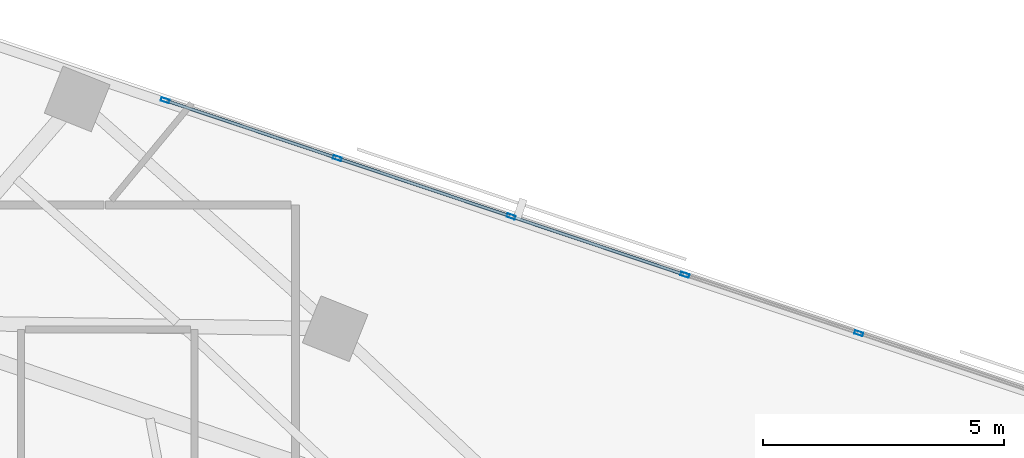
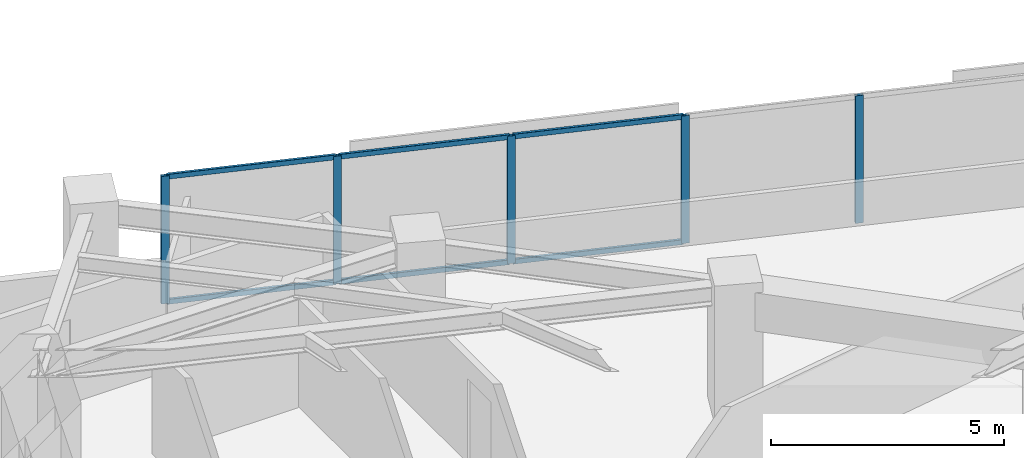
# One storey, part 4 of 14: 11 members, 1 element without a shape of its own.
"""IFC4 building model written with IfcOpenShell, lengths in metres."""

from ifc_helpers import new_model, si_unit, direction, frame, origin, origin_2d, place, context, subcontext, project, spatial, hollow_rectangle, extrude, material, material_profile, profile_set, type_object, element, aggregate, save


model = new_model("IFC4")

# Units and contexts
model_context = context("Model", 3, precision=1e-05, world=origin(), true_north=direction((0.0, 1.0)))
body_context = subcontext(model_context, "Body", "Model", "MODEL_VIEW")
ifc_project = project(units=[si_unit("LENGTHUNIT", "METRE"), si_unit("AREAUNIT", "SQUARE_METRE"), si_unit("VOLUMEUNIT", "CUBIC_METRE"), si_unit("PLANEANGLEUNIT", "RADIAN"), si_unit("MASSUNIT", "GRAM", prefix="KILO")], contexts=[model_context])

# Site, building, storey
site_placement = place(None, origin())
site = spatial("IfcSite", under=ifc_project, at=site_placement, CompositionType="ELEMENT")
building_placement = place(site_placement, origin())
building = spatial("IfcBuilding", under=site, at=building_placement, Name="Narakoshi Arena Tower", CompositionType="ELEMENT")
storey_placement = place(building_placement, frame((0.0, 0.0, 168.300048828125)))
storey = spatial("IfcBuildingStorey", under=building, at=storey_placement, Name="L45", CompositionType="ELEMENT", Elevation=168.300048828125)

# Curtain wall, members
ifc_material = material(Name="Anodised bronze aluminium 6063-T6", Category="aluminium")
curtain_wall_type = type_object("IfcCurtainWallType", Name="CW-HYP-MID", PredefinedType="NOTDEFINED", material=ifc_material)
curtain_wall_placement = place(storey_placement, origin())
curtain_wall = element("IfcCurtainWall", 1, at=curtain_wall_placement, inside=storey, type_object=curtain_wall_type, Name="L45 Folded Hypotenuse Curtain Wall 1-1", PredefinedType="NOTDEFINED")
ifc_material_profile_1 = material_profile(ifc_material, hollow_rectangle(XDim=0.074951171875, YDim=0.179931640625, WallThickness=0.00390625, OuterFilletRadius=0.0048828125, at=origin_2d()), Name="MUL180x75x4")
ifc_profile_set_1 = profile_set([ifc_material_profile_1], Name="Anodised bronze aluminium 6063-T6")
member_type_1 = type_object("IfcMemberType", Name="MEM-MUL-180", PredefinedType="MULLION", material=ifc_profile_set_1)
member_1_placement = place(storey_placement, frame((105.783447265625, 56.272705078125, 0.0), z_axis=(0.0, 0.0, 1.0), x_axis=(-0.318260960253, -0.948003144077, 0.0)))
member_1 = element("IfcMember", 2, at=member_1_placement, type_object=member_type_1, Name="CW-02 mullion 4", PredefinedType="MULLION", context=body_context, shape_type="SweptSolid", body=[
    extrude(hollow_rectangle(XDim=0.074951171875, YDim=0.179931640625, WallThickness=0.00390625, OuterFilletRadius=0.0048828125, at=origin_2d()), origin(), (0.0, 0.0, 1.0), 3.33984375),
])
member_2_placement = place(storey_placement, frame((102.176025390625, 57.48388671875, 0.0), z_axis=(0.0, 0.0, 1.0), x_axis=(-0.318260960253, -0.948003144077, 0.0)))
member_2 = element("IfcMember", 3, at=member_2_placement, type_object=member_type_1, Name="CW-02 mullion 5", PredefinedType="MULLION", context=body_context, shape_type="SweptSolid", body=[
    extrude(hollow_rectangle(XDim=0.074951171875, YDim=0.179931640625, WallThickness=0.00390625, OuterFilletRadius=0.0048828125, at=origin_2d()), origin(), (0.0, 0.0, 1.0), 3.33984375),
])
member_3_placement = place(storey_placement, frame((98.568359375, 58.695068359375, 0.0), z_axis=(0.0, 0.0, 1.0), x_axis=(-0.318260960253, -0.948003144077, 0.0)))
member_3 = element("IfcMember", 4, at=member_3_placement, type_object=member_type_1, Name="CW-02 mullion 6", PredefinedType="MULLION", context=body_context, shape_type="SweptSolid", body=[
    extrude(hollow_rectangle(XDim=0.074951171875, YDim=0.179931640625, WallThickness=0.00390625, OuterFilletRadius=0.0048828125, at=origin_2d()), origin(), (0.0, 0.0, 1.0), 3.33984375),
])
member_4_placement = place(storey_placement, frame((94.960693359375, 59.90625, 0.0), z_axis=(0.0, 0.0, 1.0), x_axis=(-0.318260960253, -0.948003144077, 0.0)))
member_4 = element("IfcMember", 5, at=member_4_placement, type_object=member_type_1, Name="CW-02 mullion 7", PredefinedType="MULLION", context=body_context, shape_type="SweptSolid", body=[
    extrude(hollow_rectangle(XDim=0.074951171875, YDim=0.179931640625, WallThickness=0.00390625, OuterFilletRadius=0.0048828125, at=origin_2d()), origin(), (0.0, 0.0, 1.0), 3.33984375),
])
member_5_placement = place(storey_placement, frame((91.388671875, 61.10546875, 0.0), z_axis=(0.0, 0.0, 1.0), x_axis=(-0.318260960253, -0.948003144077, 0.0)))
member_5 = element("IfcMember", 6, at=member_5_placement, type_object=member_type_1, Name="CW-02 mullion 8", PredefinedType="MULLION", context=body_context, shape_type="SweptSolid", body=[
    extrude(hollow_rectangle(XDim=0.074951171875, YDim=0.179931640625, WallThickness=0.00390625, OuterFilletRadius=0.0048828125, at=origin_2d()), origin(), (0.0, 0.0, 1.0), 3.33984375),
])
ifc_material_profile_2 = material_profile(ifc_material, hollow_rectangle(XDim=0.06494140625, YDim=0.1298828125, WallThickness=0.00390625, OuterFilletRadius=0.0048828125, at=origin_2d()), Name="TRN130x65x4")
ifc_profile_set_2 = profile_set([ifc_material_profile_2], Name="Anodised bronze aluminium 6063-T6")
member_type_2 = type_object("IfcMemberType", Name="MEM-TRN-130", PredefinedType="USERDEFINED", material=ifc_profile_set_2)
member_6_placement = place(storey_placement, frame((102.140380859375, 57.495849609375, 0.032470703125), z_axis=(-0.948000451231, 0.318268981314, 0.0), x_axis=(-0.318268981314, -0.948000451231, 0.0)))
member_6 = element("IfcMember", 7, at=member_6_placement, type_object=member_type_2, Name="CW-02 transom 5.1", ObjectType="TRANSOM", PredefinedType="USERDEFINED", context=body_context, shape_type="SweptSolid", body=[
    extrude(hollow_rectangle(XDim=0.06494140625, YDim=0.1298828125, WallThickness=0.00390625, OuterFilletRadius=0.0048828125, at=origin_2d()), origin(), (0.0, 0.0, 1.0), 3.73046875),
])
member_7_placement = place(storey_placement, frame((102.140380859375, 57.495849609375, 3.307373046875), z_axis=(-0.948000451231, 0.318268981314, 0.0), x_axis=(-0.318268981314, -0.948000451231, 0.0)))
member_7 = element("IfcMember", 8, at=member_7_placement, type_object=member_type_2, Name="CW-02 transom 5.2", ObjectType="TRANSOM", PredefinedType="USERDEFINED", context=body_context, shape_type="SweptSolid", body=[
    extrude(hollow_rectangle(XDim=0.06494140625, YDim=0.1298828125, WallThickness=0.00390625, OuterFilletRadius=0.0048828125, at=origin_2d()), origin(), (0.0, 0.0, 1.0), 3.73046875),
])
member_8_placement = place(storey_placement, frame((98.53271484375, 58.70703125, 0.032470703125), z_axis=(-0.948000451231, 0.318268981314, 0.0), x_axis=(-0.318268981314, -0.948000451231, 0.0)))
member_8 = element("IfcMember", 9, at=member_8_placement, type_object=member_type_2, Name="CW-02 transom 6.1", ObjectType="TRANSOM", PredefinedType="USERDEFINED", context=body_context, shape_type="SweptSolid", body=[
    extrude(hollow_rectangle(XDim=0.06494140625, YDim=0.1298828125, WallThickness=0.00390625, OuterFilletRadius=0.0048828125, at=origin_2d()), origin(), (0.0, 0.0, 1.0), 3.73046875),
])
member_9_placement = place(storey_placement, frame((98.53271484375, 58.70703125, 3.307373046875), z_axis=(-0.948000451231, 0.318268981314, 0.0), x_axis=(-0.318268981314, -0.948000451231, 0.0)))
member_9 = element("IfcMember", 10, at=member_9_placement, type_object=member_type_2, Name="CW-02 transom 6.2", ObjectType="TRANSOM", PredefinedType="USERDEFINED", context=body_context, shape_type="SweptSolid", body=[
    extrude(hollow_rectangle(XDim=0.06494140625, YDim=0.1298828125, WallThickness=0.00390625, OuterFilletRadius=0.0048828125, at=origin_2d()), origin(), (0.0, 0.0, 1.0), 3.73046875),
])
member_10_placement = place(storey_placement, frame((94.92529296875, 59.918212890625, 0.032470703125), z_axis=(-0.948006826737, 0.31824999051, 0.0), x_axis=(-0.31824999051, -0.948006826737, 0.0)))
member_10 = element("IfcMember", 11, at=member_10_placement, type_object=member_type_2, Name="CW-02 transom 7.1", ObjectType="TRANSOM", PredefinedType="USERDEFINED", context=body_context, shape_type="SweptSolid", body=[
    extrude(hollow_rectangle(XDim=0.06494140625, YDim=0.1298828125, WallThickness=0.00390625, OuterFilletRadius=0.0048828125, at=origin_2d()), origin(), (0.0, 0.0, 1.0), 3.69287109375),
])
member_11_placement = place(storey_placement, frame((94.92529296875, 59.918212890625, 3.307373046875), z_axis=(-0.948006826737, 0.31824999051, 0.0), x_axis=(-0.31824999051, -0.948006826737, 0.0)))
member_11 = element("IfcMember", 12, at=member_11_placement, type_object=member_type_2, Name="CW-02 transom 7.2", ObjectType="TRANSOM", PredefinedType="USERDEFINED", context=body_context, shape_type="SweptSolid", body=[
    extrude(hollow_rectangle(XDim=0.06494140625, YDim=0.1298828125, WallThickness=0.00390625, OuterFilletRadius=0.0048828125, at=origin_2d()), origin(), (0.0, 0.0, 1.0), 3.69287109375),
])
aggregate(curtain_wall, [member_1, member_2, member_3, member_4, member_5, member_6, member_7, member_8, member_9, member_10, member_11])

save(model, "model.ifc")
